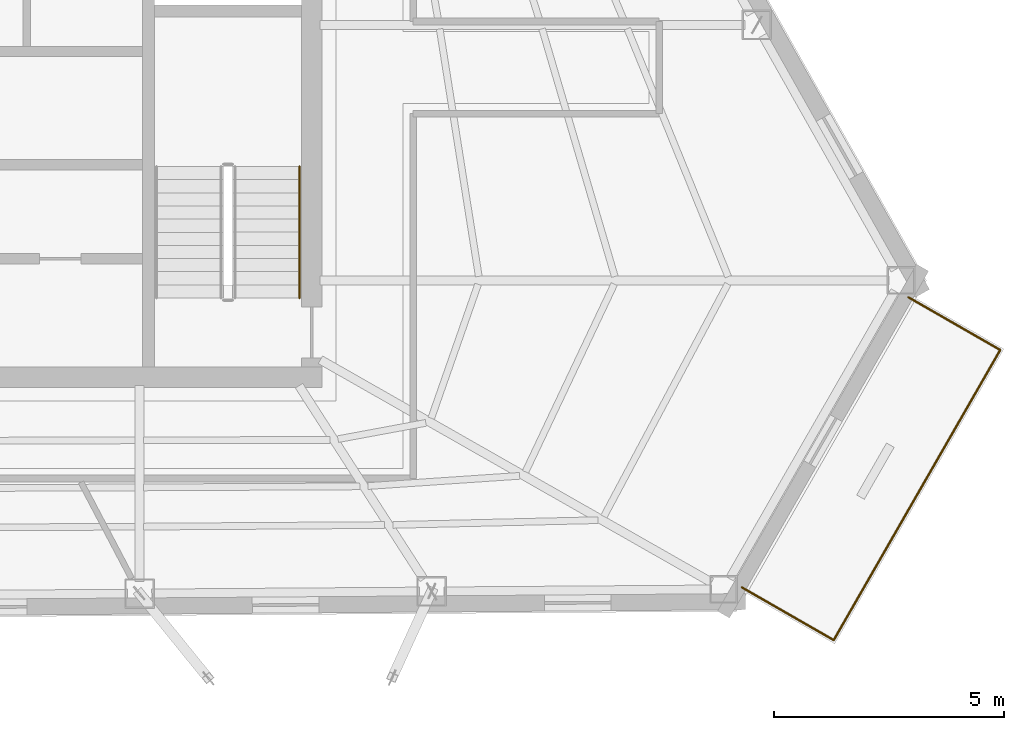
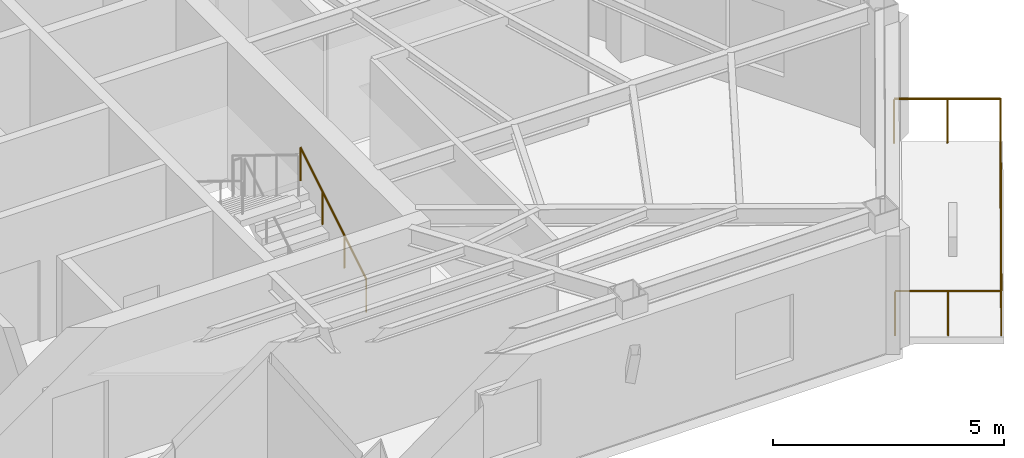
# One storey, part 12 of 12: 4 railings.
"""IFC4 building model written with IfcOpenShell, lengths in metres."""

from ifc_helpers import new_model, si_unit, direction, frame, origin, origin_2d, place, context, subcontext, project, spatial, circle, extrude, material, type_object, element, save


model = new_model("IFC4")

# Units and contexts
model_context = context("Model", 3, precision=1e-05, world=origin(), true_north=direction((0.0, 1.0)))
body_context = subcontext(model_context, "Body", "Model", "MODEL_VIEW")
ifc_project = project(units=[si_unit("LENGTHUNIT", "METRE"), si_unit("AREAUNIT", "SQUARE_METRE"), si_unit("VOLUMEUNIT", "CUBIC_METRE"), si_unit("PLANEANGLEUNIT", "RADIAN"), si_unit("MASSUNIT", "GRAM", prefix="KILO")], contexts=[model_context])

# Site, building, storey
site_placement = place(None, origin())
site = spatial("IfcSite", under=ifc_project, at=site_placement, CompositionType="ELEMENT")
building_placement = place(site_placement, origin())
building = spatial("IfcBuilding", under=site, at=building_placement, Name="Kavelnor Concourse Tower", CompositionType="ELEMENT")
storey_placement = place(building_placement, frame((0.0, 0.0, 226.60009765625)))
storey = spatial("IfcBuildingStorey", under=building, at=storey_placement, Name="L57", CompositionType="ELEMENT", Elevation=226.60009765625)

# Railings
ifc_material_1 = material(Name="Steel Grade 350", Category="steel")
railing_type_1 = type_object("IfcRailingType", Name="RLG-HANDRAIL-900", PredefinedType="HANDRAIL", material=ifc_material_1)
railing_1_placement = place(storey_placement, frame((47.469970703125, 11.10009765625, 0.1748046875)))
element("IfcRailing", 1, at=railing_1_placement, inside=storey, type_object=railing_type_1, Name="L57 ST2 stair handrail 1", PredefinedType="HANDRAIL", context=body_context, shape_type="SweptSolid", body=[
    extrude(circle(Radius=0.02392578125, at=origin_2d()), frame((0.0, 0.0, 0.8759765625), z_axis=(0.0, 0.852159232446, 0.523282564737), x_axis=(-1.0, 0.0, 0.0)), (0.0, 0.0, 1.0), 3.34423828125),
    extrude(circle(Radius=0.02099609375, at=origin_2d()), origin(), (0.0, 0.0, 1.0), 0.851806640625),
    extrude(circle(Radius=0.02099609375, at=origin_2d()), frame((0.0, 0.949951171875, 0.583251953125)), (0.0, 0.0, 1.0), 0.851806640625),
    extrude(circle(Radius=0.02099609375, at=origin_2d()), frame((0.0, 1.89990234375, 1.166748046875)), (0.0, 0.0, 1.0), 0.851806640625),
    extrude(circle(Radius=0.02099609375, at=origin_2d()), frame((0.0, 2.849853515625, 1.75)), (0.0, 0.0, 1.0), 0.851806640625),
])
ifc_material_2 = material(Name="Architectural bronze-anodised aluminium", Category="aluminium")
railing_type_2 = type_object("IfcRailingType", Name="RLG-TERRACE-1200", PredefinedType="BALUSTRADE", material=ifc_material_2)
railing_2_placement = place(storey_placement, frame((57.072265625, 4.8173828125, 0.0)))
element("IfcRailing", 2, at=railing_2_placement, inside=storey, type_object=railing_type_2, Name="L57 Spiral Terrace Guardrail L", PredefinedType="BALUSTRADE", context=body_context, shape_type="SweptSolid", body=[
    extrude(circle(Radius=0.02392578125, at=origin_2d()), frame((0.0, 0.0, 1.17578125), z_axis=(0.867287891398, -0.497806903764, 0.0), x_axis=(0.497806903764, 0.867287891398, 0.0)), (0.0, 0.0, 1.0), 2.300048828125),
    extrude(circle(Radius=0.02099609375, at=origin_2d()), origin(), (0.0, 0.0, 1.0), 1.15185546875),
    extrude(circle(Radius=0.02099609375, at=origin_2d()), frame((0.99755859375, -0.572509765625, 0.0)), (0.0, 0.0, 1.0), 1.15185546875),
    extrude(circle(Radius=0.02099609375, at=origin_2d()), frame((1.994873046875, -1.14501953125, 0.0)), (0.0, 0.0, 1.0), 1.15185546875),
])
railing_3_placement = place(storey_placement, frame((59.067138671875, 3.67236328125, 0.0)))
element("IfcRailing", 3, at=railing_3_placement, inside=storey, type_object=railing_type_2, Name="L57 Spiral Terrace Guardrail F", PredefinedType="BALUSTRADE", context=body_context, shape_type="SweptSolid", body=[
    extrude(circle(Radius=0.02392578125, at=origin_2d()), frame((0.0, 0.0, 1.17578125), z_axis=(0.497760270354, 0.867314656429, 0.0), x_axis=(-0.867314656429, 0.497760270354, 0.0)), (0.0, 0.0, 1.0), 7.260986328125),
    extrude(circle(Radius=0.02099609375, at=origin_2d()), origin(), (0.0, 0.0, 1.0), 1.15185546875),
    extrude(circle(Radius=0.02099609375, at=origin_2d()), frame((0.516357421875, 0.899658203125, 0.0)), (0.0, 0.0, 1.0), 1.15185546875),
    extrude(circle(Radius=0.02099609375, at=origin_2d()), frame((1.03271484375, 1.79931640625, 0.0)), (0.0, 0.0, 1.0), 1.15185546875),
    extrude(circle(Radius=0.02099609375, at=origin_2d()), frame((1.549072265625, 2.698974609375, 0.0)), (0.0, 0.0, 1.0), 1.15185546875),
    extrude(circle(Radius=0.02099609375, at=origin_2d()), frame((2.065185546875, 3.5986328125, 0.0)), (0.0, 0.0, 1.0), 1.15185546875),
    extrude(circle(Radius=0.02099609375, at=origin_2d()), frame((2.58154296875, 4.498291015625, 0.0)), (0.0, 0.0, 1.0), 1.15185546875),
    extrude(circle(Radius=0.02099609375, at=origin_2d()), frame((3.097900390625, 5.39794921875, 0.0)), (0.0, 0.0, 1.0), 1.15185546875),
    extrude(circle(Radius=0.02099609375, at=origin_2d()), frame((3.6142578125, 6.297607421875, 0.0)), (0.0, 0.0, 1.0), 1.15185546875),
])
railing_4_placement = place(storey_placement, frame((62.681396484375, 9.969970703125, 0.0)))
element("IfcRailing", 4, at=railing_4_placement, inside=storey, type_object=railing_type_2, Name="L57 Spiral Terrace Guardrail R", PredefinedType="BALUSTRADE", context=body_context, shape_type="SweptSolid", body=[
    extrude(circle(Radius=0.02392578125, at=origin_2d()), frame((0.0, 0.0, 1.17578125), z_axis=(-0.867307416314, 0.497772885569, 0.0), x_axis=(-0.497772885569, -0.867307416314, 0.0)), (0.0, 0.0, 1.0), 2.2998046875),
    extrude(circle(Radius=0.02099609375, at=origin_2d()), origin(), (0.0, 0.0, 1.0), 1.15185546875),
    extrude(circle(Radius=0.02099609375, at=origin_2d()), frame((-0.997314453125, 0.572265625, 0.0)), (0.0, 0.0, 1.0), 1.15185546875),
    extrude(circle(Radius=0.02099609375, at=origin_2d()), frame((-1.99462890625, 1.144775390625, 0.0)), (0.0, 0.0, 1.0), 1.15185546875),
])

save(model, "model.ifc")
